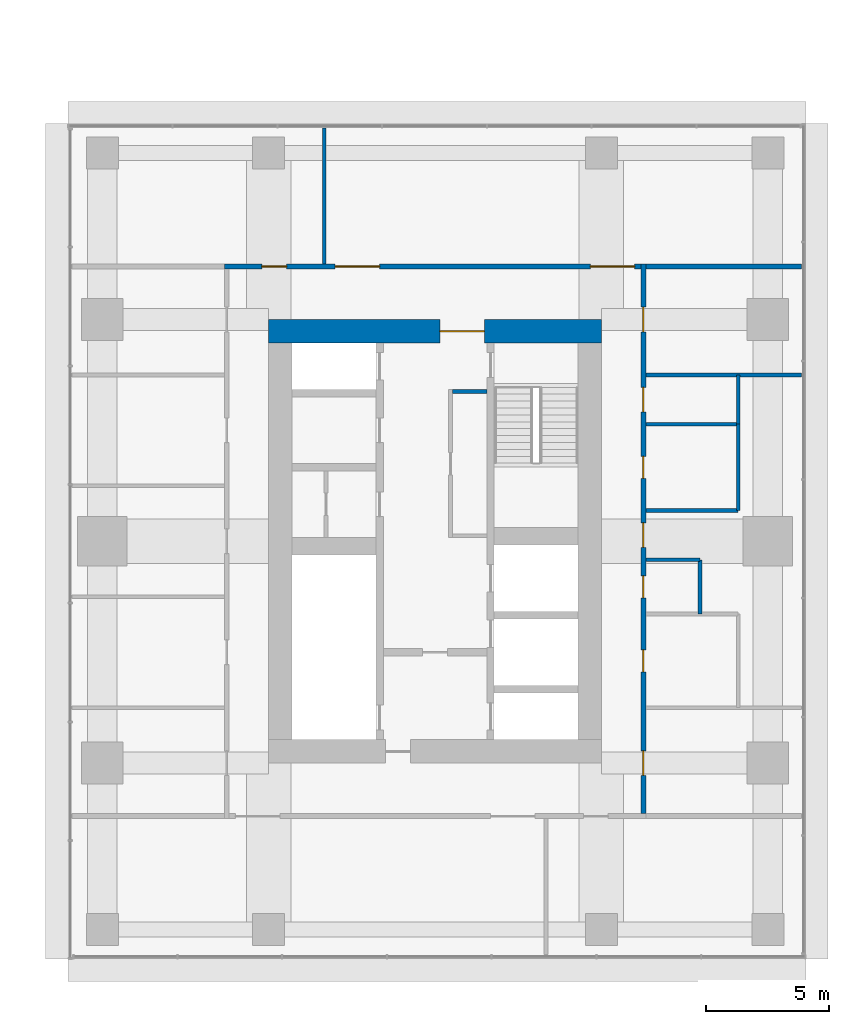
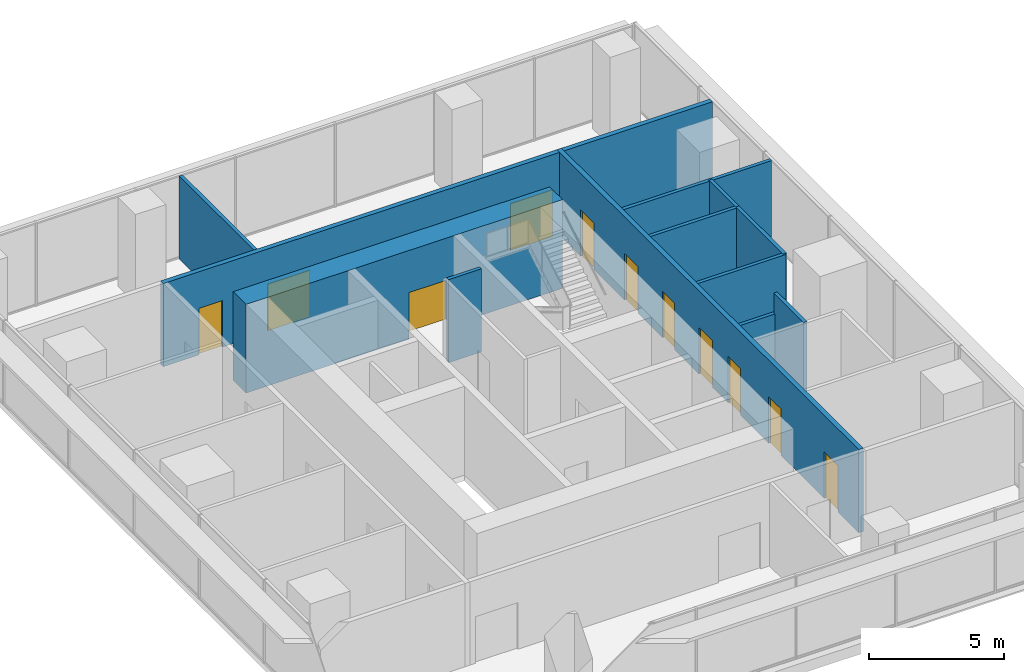
# One storey, part 11 of 14: 13 walls, 11 doors, 11 openings.
"""IFC4 building model written with IfcOpenShell, lengths in metres."""

from ifc_helpers import new_model, si_unit, direction, frame, frame_2d, origin, place, context, subcontext, project, spatial, rectangle, extrude, material, layer, layer_set, type_object, element, fill, save


model = new_model("IFC4")

# Units and contexts
model_context = context("Model", 3, precision=1e-05, world=origin(), true_north=direction((0.0, 1.0)))
body_context = subcontext(model_context, "Body", "Model", "MODEL_VIEW")
ifc_project = project(units=[si_unit("LENGTHUNIT", "METRE"), si_unit("AREAUNIT", "SQUARE_METRE"), si_unit("VOLUMEUNIT", "CUBIC_METRE"), si_unit("PLANEANGLEUNIT", "RADIAN"), si_unit("MASSUNIT", "GRAM", prefix="KILO")], contexts=[model_context])

# Site, building, storey
site_placement = place(None, origin())
site = spatial("IfcSite", under=ifc_project, at=site_placement, CompositionType="ELEMENT")
building_placement = place(site_placement, origin())
building = spatial("IfcBuilding", under=site, at=building_placement, Name="Namib Vertical Campus", CompositionType="ELEMENT")
storey_placement = place(building_placement, frame((0.0, 0.0, 233.0)))
storey = spatial("IfcBuildingStorey", under=building, at=storey_placement, Name="L55", CompositionType="ELEMENT", Elevation=233.0)

# Wall, opening, door
ifc_material_1 = material(Name="Concrete C60/75", Category="concrete")
ifc_layer_1 = layer(ifc_material_1, 0.949951171875)
ifc_layer_set_1 = layer_set([ifc_layer_1], Name="Concrete C60/75")
wall_type_1 = type_object("IfcWallType", Name="Core wall 950", PredefinedType="SHEAR", material=ifc_layer_set_1)
wall_1_placement = place(storey_placement, frame((87.75, 28.77490234375, 0.0), z_axis=(0.0, 0.0, 1.0), x_axis=(-1.0, 0.0, 0.0)))
wall_1 = element("IfcWall", 1, at=wall_1_placement, inside=storey, type_object=wall_type_1, Name="Core wall B L55 3", PredefinedType="SHEAR", context=body_context, shape_type="SweptSolid", body=[
    extrude(rectangle(XDim=13.5, YDim=0.949951171875, at=frame_2d((6.75, 0.0))), origin(), (0.0, 0.0, 1.0), 4.0),
])
opening_1_placement = place(wall_1_placement, frame((4.75, 0.0, 0.0)))
opening_1 = element("IfcOpeningElement", 2, at=opening_1_placement, cuts=wall_1, Name="Opening FD2", PredefinedType="OPENING", context=body_context, shape_type="SweptSolid", body=[
    extrude(rectangle(XDim=1.800048828125, YDim=2.10009765625, at=frame_2d((0.89990234375, 1.050048828125))), frame((0.0, 0.48486328125, 0.0), z_axis=(0.0, -1.0, 0.0), x_axis=(1.0, 0.0, 0.0)), (0.0, 0.0, 1.0), 0.969970703125),
])
ifc_material_2 = material(Name="Steel fire door", Category="steel")
door_type_1 = type_object("IfcDoorType", Name="Fire door double 1800x2100", OperationType="DOUBLE_DOOR_SINGLE_SWING", PredefinedType="DOOR", material=ifc_material_2)
door_1_placement = place(opening_1_placement, origin())
door_1 = element("IfcDoor", 3, at=door_1_placement, inside=storey, type_object=door_type_1, Name="Lift lobby door FD2 B L55", OperationType="DOUBLE_DOOR_SINGLE_SWING", OverallHeight=2.10009765625, OverallWidth=1.800048828125, PredefinedType="DOOR", context=body_context, shape_type="SweptSolid", body=[
    extrude(rectangle(XDim=1.800048828125, YDim=2.10009765625, at=frame_2d((0.89990234375, 1.050048828125))), frame((0.0, 0.02490234375, 0.0), z_axis=(0.0, -1.0, 0.0), x_axis=(1.0, 0.0, 0.0)), (0.0, 0.0, 1.0), 0.050048828125),
])
fill(opening_1, door_1)

# Wall, openings, doors
ifc_material_3 = material(Name="Concrete masonry", Category="masonry")
ifc_layer_2 = layer(ifc_material_3, 0.199951171875)
ifc_layer_set_2 = layer_set([ifc_layer_2], Name="Corridor wall 200")
wall_type_2 = type_object("IfcWallType", Name="Corridor wall 200", PredefinedType="SOLIDWALL", material=ifc_layer_set_2)
wall_2_placement = place(storey_placement, frame((89.449951171875, 9.199951171875, 0.0), z_axis=(0.0, 0.0, 1.0), x_axis=(0.0, 1.0, 0.0)))
wall_2 = element("IfcWall", 4, at=wall_2_placement, inside=storey, type_object=wall_type_2, Name="Corridor wall B L55 CE", PredefinedType="SOLIDWALL", context=body_context, shape_type="SweptSolid", body=[
    extrude(rectangle(XDim=22.300048828125, YDim=0.199951171875, at=frame_2d((11.14990234375, 0.0))), origin(), (0.0, 0.0, 1.0), 3.75),
])
opening_2_placement = place(wall_2_placement, frame((1.550048828125, 0.0, 0.0)))
opening_2 = element("IfcOpeningElement", 5, at=opening_2_placement, cuts=wall_2, Name="Opening CD1", PredefinedType="OPENING", context=body_context, shape_type="SweptSolid", body=[
    extrude(rectangle(XDim=1.0, YDim=2.10009765625, at=frame_2d((0.5, 1.050048828125))), frame((0.0, 0.10986328125, 0.0), z_axis=(0.0, -1.0, 0.0), x_axis=(1.0, 0.0, 0.0)), (0.0, 0.0, 1.0), 0.219970703125),
])
opening_3_placement = place(wall_2_placement, frame((5.75, 0.0, 0.0)))
opening_3 = element("IfcOpeningElement", 6, at=opening_3_placement, cuts=wall_2, Name="Opening CD3", PredefinedType="OPENING", context=body_context, shape_type="SweptSolid", body=[
    extrude(rectangle(XDim=0.89990234375, YDim=2.10009765625, at=frame_2d((0.449951171875, 1.050048828125))), frame((0.0, 0.10986328125, 0.0), z_axis=(0.0, -1.0, 0.0), x_axis=(1.0, 0.0, 0.0)), (0.0, 0.0, 1.0), 0.219970703125),
])
opening_4_placement = place(wall_2_placement, frame((8.75, 0.0, 0.0)))
opening_4 = element("IfcOpeningElement", 7, at=opening_4_placement, cuts=wall_2, Name="Opening CD3", PredefinedType="OPENING", context=body_context, shape_type="SweptSolid", body=[
    extrude(rectangle(XDim=0.89990234375, YDim=2.10009765625, at=frame_2d((0.449951171875, 1.050048828125))), frame((0.0, 0.10986328125, 0.0), z_axis=(0.0, -1.0, 0.0), x_axis=(1.0, 0.0, 0.0)), (0.0, 0.0, 1.0), 0.219970703125),
])
opening_5_placement = place(wall_2_placement, frame((13.60009765625, 0.0, 0.0)))
opening_5 = element("IfcOpeningElement", 8, at=opening_5_placement, cuts=wall_2, Name="Opening CD3", PredefinedType="OPENING", context=body_context, shape_type="SweptSolid", body=[
    extrude(rectangle(XDim=0.89990234375, YDim=2.10009765625, at=frame_2d((0.449951171875, 1.050048828125))), frame((0.0, 0.10986328125, 0.0), z_axis=(0.0, -1.0, 0.0), x_axis=(1.0, 0.0, 0.0)), (0.0, 0.0, 1.0), 0.219970703125),
])
opening_6_placement = place(wall_2_placement, frame((16.300048828125, 0.0, 0.0)))
opening_6 = element("IfcOpeningElement", 9, at=opening_6_placement, cuts=wall_2, Name="Opening CD1", PredefinedType="OPENING", context=body_context, shape_type="SweptSolid", body=[
    extrude(rectangle(XDim=1.0, YDim=2.10009765625, at=frame_2d((0.5, 1.050048828125))), frame((0.0, 0.10986328125, 0.0), z_axis=(0.0, -1.0, 0.0), x_axis=(1.0, 0.0, 0.0)), (0.0, 0.0, 1.0), 0.219970703125),
])
opening_7_placement = place(wall_2_placement, frame((10.800048828125, 0.0, 0.0)))
opening_7 = element("IfcOpeningElement", 10, at=opening_7_placement, cuts=wall_2, Name="Opening CD1", PredefinedType="OPENING", context=body_context, shape_type="SweptSolid", body=[
    extrude(rectangle(XDim=1.0, YDim=2.10009765625, at=frame_2d((0.5, 1.050048828125))), frame((0.0, 0.10986328125, 0.0), z_axis=(0.0, -1.0, 0.0), x_axis=(1.0, 0.0, 0.0)), (0.0, 0.0, 1.0), 0.219970703125),
])
opening_8_placement = place(wall_2_placement, frame((19.550048828125, 0.0, 0.0)))
opening_8 = element("IfcOpeningElement", 11, at=opening_8_placement, cuts=wall_2, Name="Opening CD1", PredefinedType="OPENING", context=body_context, shape_type="SweptSolid", body=[
    extrude(rectangle(XDim=1.0, YDim=2.10009765625, at=frame_2d((0.5, 1.050048828125))), frame((0.0, 0.10986328125, 0.0), z_axis=(0.0, -1.0, 0.0), x_axis=(1.0, 0.0, 0.0)), (0.0, 0.0, 1.0), 0.219970703125),
])
ifc_material_4 = material(Name="Timber fire door leaf", Category="wood")
door_type_2 = type_object("IfcDoorType", Name="Corridor door 1000x2100 20 min", OperationType="SINGLE_SWING_LEFT", PredefinedType="DOOR", material=ifc_material_4)
door_2_placement = place(opening_2_placement, frame((1.0, 0.0, 0.0), z_axis=(0.0, 0.0, 1.0), x_axis=(-1.0, 0.0, 0.0)))
door_2 = element("IfcDoor", 12, at=door_2_placement, inside=storey, type_object=door_type_2, Name="Door CD1 B55-03", OperationType="SINGLE_SWING_RIGHT", OverallHeight=2.10009765625, OverallWidth=1.0, PredefinedType="DOOR", context=body_context, shape_type="SweptSolid", body=[
    extrude(rectangle(XDim=1.0, YDim=2.10009765625, at=frame_2d((0.5, 1.050048828125))), frame((0.0, 0.02490234375, 0.0), z_axis=(0.0, -1.0, 0.0), x_axis=(1.0, 0.0, 0.0)), (0.0, 0.0, 1.0), 0.050048828125),
])
fill(opening_2, door_2)
door_3_placement = place(opening_6_placement, frame((1.0, 0.0, 0.0), z_axis=(0.0, 0.0, 1.0), x_axis=(-1.0, 0.0, 0.0)))
door_3 = element("IfcDoor", 13, at=door_3_placement, inside=storey, type_object=door_type_2, Name="Door CD1 B55-07", OperationType="SINGLE_SWING_RIGHT", OverallHeight=2.10009765625, OverallWidth=1.0, PredefinedType="DOOR", context=body_context, shape_type="SweptSolid", body=[
    extrude(rectangle(XDim=1.0, YDim=2.10009765625, at=frame_2d((0.5, 1.050048828125))), frame((0.0, 0.02490234375, 0.0), z_axis=(0.0, -1.0, 0.0), x_axis=(1.0, 0.0, 0.0)), (0.0, 0.0, 1.0), 0.050048828125),
])
fill(opening_6, door_3)
door_4_placement = place(opening_7_placement, frame((1.0, 0.0, 0.0), z_axis=(0.0, 0.0, 1.0), x_axis=(-1.0, 0.0, 0.0)))
door_4 = element("IfcDoor", 14, at=door_4_placement, inside=storey, type_object=door_type_2, Name="Door CD1 B55-08", OperationType="SINGLE_SWING_RIGHT", OverallHeight=2.10009765625, OverallWidth=1.0, PredefinedType="DOOR", context=body_context, shape_type="SweptSolid", body=[
    extrude(rectangle(XDim=1.0, YDim=2.10009765625, at=frame_2d((0.5, 1.050048828125))), frame((0.0, 0.02490234375, 0.0), z_axis=(0.0, -1.0, 0.0), x_axis=(1.0, 0.0, 0.0)), (0.0, 0.0, 1.0), 0.050048828125),
])
fill(opening_7, door_4)
door_5_placement = place(opening_8_placement, frame((1.0, 0.0, 0.0), z_axis=(0.0, 0.0, 1.0), x_axis=(-1.0, 0.0, 0.0)))
door_5 = element("IfcDoor", 15, at=door_5_placement, inside=storey, type_object=door_type_2, Name="Door CD1 B55-09", OperationType="SINGLE_SWING_RIGHT", OverallHeight=2.10009765625, OverallWidth=1.0, PredefinedType="DOOR", context=body_context, shape_type="SweptSolid", body=[
    extrude(rectangle(XDim=1.0, YDim=2.10009765625, at=frame_2d((0.5, 1.050048828125))), frame((0.0, 0.02490234375, 0.0), z_axis=(0.0, -1.0, 0.0), x_axis=(1.0, 0.0, 0.0)), (0.0, 0.0, 1.0), 0.050048828125),
])
fill(opening_8, door_5)
ifc_material_5 = material(Name="Timber fire door leaf", Category="wood")
door_type_3 = type_object("IfcDoorType", Name="Corridor toilet door 900x2100 20 min", OperationType="SINGLE_SWING_LEFT", PredefinedType="DOOR", material=ifc_material_5)
door_6_placement = place(opening_3_placement, frame((0.89990234375, 0.0, 0.0), z_axis=(0.0, 0.0, 1.0), x_axis=(-1.0, 0.0, 0.0)))
door_6 = element("IfcDoor", 16, at=door_6_placement, inside=storey, type_object=door_type_3, Name="Door CD3 B55-04", OperationType="SINGLE_SWING_RIGHT", OverallHeight=2.10009765625, OverallWidth=0.89990234375, PredefinedType="DOOR", context=body_context, shape_type="SweptSolid", body=[
    extrude(rectangle(XDim=0.89990234375, YDim=2.10009765625, at=frame_2d((0.449951171875, 1.050048828125))), frame((0.0, 0.02490234375, 0.0), z_axis=(0.0, -1.0, 0.0), x_axis=(1.0, 0.0, 0.0)), (0.0, 0.0, 1.0), 0.050048828125),
])
fill(opening_3, door_6)
door_7_placement = place(opening_4_placement, frame((0.89990234375, 0.0, 0.0), z_axis=(0.0, 0.0, 1.0), x_axis=(-1.0, 0.0, 0.0)))
door_7 = element("IfcDoor", 17, at=door_7_placement, inside=storey, type_object=door_type_3, Name="Door CD3 B55-05", OperationType="SINGLE_SWING_RIGHT", OverallHeight=2.10009765625, OverallWidth=0.89990234375, PredefinedType="DOOR", context=body_context, shape_type="SweptSolid", body=[
    extrude(rectangle(XDim=0.89990234375, YDim=2.10009765625, at=frame_2d((0.449951171875, 1.050048828125))), frame((0.0, 0.02490234375, 0.0), z_axis=(0.0, -1.0, 0.0), x_axis=(1.0, 0.0, 0.0)), (0.0, 0.0, 1.0), 0.050048828125),
])
fill(opening_4, door_7)
door_8_placement = place(opening_5_placement, frame((0.89990234375, 0.0, 0.0), z_axis=(0.0, 0.0, 1.0), x_axis=(-1.0, 0.0, 0.0)))
door_8 = element("IfcDoor", 18, at=door_8_placement, inside=storey, type_object=door_type_3, Name="Door CD3 B55-06", OperationType="SINGLE_SWING_RIGHT", OverallHeight=2.10009765625, OverallWidth=0.89990234375, PredefinedType="DOOR", context=body_context, shape_type="SweptSolid", body=[
    extrude(rectangle(XDim=0.89990234375, YDim=2.10009765625, at=frame_2d((0.449951171875, 1.050048828125))), frame((0.0, 0.02490234375, 0.0), z_axis=(0.0, -1.0, 0.0), x_axis=(1.0, 0.0, 0.0)), (0.0, 0.0, 1.0), 0.050048828125),
])
fill(opening_5, door_8)

wall_3_placement = place(storey_placement, frame((89.35009765625, 31.39990234375, 0.0), z_axis=(0.0, 0.0, 1.0), x_axis=(-1.0, 0.0, 0.0)))
wall_3 = element("IfcWall", 19, at=wall_3_placement, inside=storey, type_object=wall_type_2, Name="Corridor wall B L55 CN", PredefinedType="SOLIDWALL", context=body_context, shape_type="SweptSolid", body=[
    extrude(rectangle(XDim=16.900146484375, YDim=0.199951171875, at=frame_2d((8.4501953125, 0.0))), origin(), (0.0, 0.0, 1.0), 3.75),
])
opening_9_placement = place(wall_3_placement, frame((14.375, 0.0, 0.0)))
opening_9 = element("IfcOpeningElement", 20, at=opening_9_placement, cuts=wall_3, Name="Opening CD1", PredefinedType="OPENING", context=body_context, shape_type="SweptSolid", body=[
    extrude(rectangle(XDim=1.0, YDim=2.10009765625, at=frame_2d((0.5, 1.050048828125))), frame((0.0, 0.10986328125, 0.0), z_axis=(0.0, -1.0, 0.0), x_axis=(1.0, 0.0, 0.0)), (0.0, 0.0, 1.0), 0.219970703125),
])
opening_10_placement = place(wall_3_placement, frame((10.60009765625, 0.0, 0.0)))
opening_10 = element("IfcOpeningElement", 21, at=opening_10_placement, cuts=wall_3, Name="Opening CD2", PredefinedType="OPENING", context=body_context, shape_type="SweptSolid", body=[
    extrude(rectangle(XDim=1.800048828125, YDim=2.10009765625, at=frame_2d((0.89990234375, 1.050048828125))), frame((0.0, 0.10986328125, 0.0), z_axis=(0.0, -1.0, 0.0), x_axis=(1.0, 0.0, 0.0)), (0.0, 0.0, 1.0), 0.219970703125),
])
opening_11_placement = place(wall_3_placement, frame((0.25, 0.0, 0.0)))
opening_11 = element("IfcOpeningElement", 22, at=opening_11_placement, cuts=wall_3, Name="Opening CD2", PredefinedType="OPENING", context=body_context, shape_type="SweptSolid", body=[
    extrude(rectangle(XDim=1.800048828125, YDim=2.10009765625, at=frame_2d((0.89990234375, 1.050048828125))), frame((0.0, 0.10986328125, 0.0), z_axis=(0.0, -1.0, 0.0), x_axis=(1.0, 0.0, 0.0)), (0.0, 0.0, 1.0), 0.219970703125),
])
door_9_placement = place(opening_9_placement, frame((1.0, 0.0, 0.0), z_axis=(0.0, 0.0, 1.0), x_axis=(-1.0, 0.0, 0.0)))
door_9 = element("IfcDoor", 23, at=door_9_placement, inside=storey, type_object=door_type_2, Name="Door CD1 B55-10", OperationType="SINGLE_SWING_RIGHT", OverallHeight=2.10009765625, OverallWidth=1.0, PredefinedType="DOOR", context=body_context, shape_type="SweptSolid", body=[
    extrude(rectangle(XDim=1.0, YDim=2.10009765625, at=frame_2d((0.5, 1.050048828125))), frame((0.0, 0.02490234375, 0.0), z_axis=(0.0, -1.0, 0.0), x_axis=(1.0, 0.0, 0.0)), (0.0, 0.0, 1.0), 0.050048828125),
])
fill(opening_9, door_9)
ifc_material_6 = material(Name="Timber fire door leaf", Category="wood")
door_type_4 = type_object("IfcDoorType", Name="Corridor door double 1800x2100 20 min", OperationType="DOUBLE_DOOR_SINGLE_SWING", PredefinedType="DOOR", material=ifc_material_6)
door_10_placement = place(opening_10_placement, frame((1.800048828125, 0.0, 0.0), z_axis=(0.0, 0.0, 1.0), x_axis=(-1.0, 0.0, 0.0)))
door_10 = element("IfcDoor", 24, at=door_10_placement, inside=storey, type_object=door_type_4, Name="Door CD2 B55-11", OperationType="DOUBLE_DOOR_SINGLE_SWING", OverallHeight=2.10009765625, OverallWidth=1.800048828125, PredefinedType="DOOR", context=body_context, shape_type="SweptSolid", body=[
    extrude(rectangle(XDim=1.800048828125, YDim=2.10009765625, at=frame_2d((0.89990234375, 1.050048828125))), frame((0.0, 0.02490234375, 0.0), z_axis=(0.0, -1.0, 0.0), x_axis=(1.0, 0.0, 0.0)), (0.0, 0.0, 1.0), 0.050048828125),
])
fill(opening_10, door_10)
door_11_placement = place(opening_11_placement, frame((1.800048828125, 0.0, 0.0), z_axis=(0.0, 0.0, 1.0), x_axis=(-1.0, 0.0, 0.0)))
door_11 = element("IfcDoor", 25, at=door_11_placement, inside=storey, type_object=door_type_4, Name="Door CD2 B55-11 2", OperationType="DOUBLE_DOOR_SINGLE_SWING", OverallHeight=2.10009765625, OverallWidth=1.800048828125, PredefinedType="DOOR", context=body_context, shape_type="SweptSolid", body=[
    extrude(rectangle(XDim=1.800048828125, YDim=2.10009765625, at=frame_2d((0.89990234375, 1.050048828125))), frame((0.0, 0.02490234375, 0.0), z_axis=(0.0, -1.0, 0.0), x_axis=(1.0, 0.0, 0.0)), (0.0, 0.0, 1.0), 0.050048828125),
])
fill(opening_11, door_11)

# Walls
wall_4_placement = place(storey_placement, frame((89.550048828125, 31.39990234375, 0.0), z_axis=(0.0, 0.0, 1.0), x_axis=(1.0, 0.0, 0.0)))
element("IfcWall", 26, at=wall_4_placement, inside=storey, type_object=wall_type_2, Name="Partition B L55 BNE", PredefinedType="SOLIDWALL", context=body_context, shape_type="SweptSolid", body=[
    extrude(rectangle(XDim=6.320068359375, YDim=0.199951171875, at=frame_2d((3.16015625, 0.0))), origin(), (0.0, 0.0, 1.0), 3.75),
])
ifc_material_7 = material(Name="Gypsum board on steel studs", Category="steel")
ifc_layer_3 = layer(ifc_material_7, 0.14990234375)
ifc_layer_set_3 = layer_set([ifc_layer_3], Name="Gypsum board on steel studs")
wall_type_3 = type_object("IfcWallType", Name="Partition 150", PredefinedType="PARTITIONING", material=ifc_layer_set_3)
wall_5_placement = place(storey_placement, frame((81.699951171875, 26.324951171875, 0.0), z_axis=(0.0, 0.0, 1.0), x_axis=(1.0, 0.0, 0.0)))
element("IfcWall", 27, at=wall_5_placement, inside=storey, type_object=wall_type_3, Name="Partition B L55 Store end 2", PredefinedType="PARTITIONING", context=body_context, shape_type="SweptSolid", body=[
    extrude(rectangle(XDim=1.400146484375, YDim=0.14990234375, at=frame_2d((0.7001953125, 0.0))), origin(), (0.0, 0.0, 1.0), 3.75),
])
wall_6_placement = place(storey_placement, frame((76.5, 31.5, 0.0), z_axis=(0.0, 0.0, 1.0), x_axis=(0.0, 1.0, 0.0)))
element("IfcWall", 28, at=wall_6_placement, inside=storey, type_object=wall_type_3, Name="Partition B L55 PN1", PredefinedType="PARTITIONING", context=body_context, shape_type="SweptSolid", body=[
    extrude(rectangle(XDim=5.52001953125, YDim=0.14990234375, at=frame_2d((2.760009765625, 0.0))), origin(), (0.0, 0.0, 1.0), 3.75),
])
wall_7_placement = place(storey_placement, frame((89.550048828125, 27.0, 0.0), z_axis=(0.0, 0.0, 1.0), x_axis=(1.0, 0.0, 0.0)))
element("IfcWall", 29, at=wall_7_placement, inside=storey, type_object=wall_type_3, Name="Partition B L55 PE2", PredefinedType="PARTITIONING", context=body_context, shape_type="SweptSolid", body=[
    extrude(rectangle(XDim=6.320068359375, YDim=0.14990234375, at=frame_2d((3.16015625, 0.0))), origin(), (0.0, 0.0, 1.0), 3.75),
])
wall_8_placement = place(storey_placement, frame((89.550048828125, 19.5, 0.0), z_axis=(0.0, 0.0, 1.0), x_axis=(1.0, 0.0, 0.0)))
element("IfcWall", 30, at=wall_8_placement, inside=storey, type_object=wall_type_3, Name="Partition B L55 WR2", PredefinedType="PARTITIONING", context=body_context, shape_type="SweptSolid", body=[
    extrude(rectangle(XDim=2.199951171875, YDim=0.14990234375, at=frame_2d((1.10009765625, 0.0))), origin(), (0.0, 0.0, 1.0), 2.85009765625),
])
for number, where, z_axis, x_axis, name in (
    (31, (89.550048828125, 21.5, 0.0), (0.0, 0.0, 1.0), (1.0, 0.0, 0.0), "Partition B L55 WR3"),
    (32, (89.550048828125, 25.0, 0.0), (0.0, 0.0, 1.0), (1.0, 0.0, 0.0), "Partition B L55 WR4"),
):
    element("IfcWall", number, at=place(storey_placement, frame(where, z_axis=z_axis, x_axis=x_axis)), inside=storey, type_object=wall_type_3, Name=name, PredefinedType="PARTITIONING", context=body_context, shape_type="SweptSolid", body=[
        extrude(rectangle(XDim=3.75, YDim=0.14990234375, at=frame_2d((1.875, 0.0))), origin(), (0.0, 0.0, 1.0), 3.75),
    ])
wall_9_placement = place(storey_placement, frame((91.75, 17.300048828125, 0.0), z_axis=(0.0, 0.0, 1.0), x_axis=(0.0, 1.0, 0.0)))
element("IfcWall", 33, at=wall_9_placement, inside=storey, type_object=wall_type_3, Name="Partition B L55 WB2", PredefinedType="PARTITIONING", context=body_context, shape_type="SweptSolid", body=[
    extrude(rectangle(XDim=2.199951171875, YDim=0.14990234375, at=frame_2d((1.10009765625, 0.0))), origin(), (0.0, 0.0, 1.0), 3.75),
])
wall_10_placement = place(storey_placement, frame((93.300048828125, 21.5, 0.0), z_axis=(0.0, 0.0, 1.0), x_axis=(0.0, 1.0, 0.0)))
element("IfcWall", 34, at=wall_10_placement, inside=storey, type_object=wall_type_3, Name="Partition B L55 WB3", PredefinedType="PARTITIONING", context=body_context, shape_type="SweptSolid", body=[
    extrude(rectangle(XDim=3.5, YDim=0.14990234375, at=frame_2d((1.75, 0.0))), origin(), (0.0, 0.0, 1.0), 3.75),
])
wall_11_placement = place(storey_placement, frame((93.300048828125, 25.0, 0.0), z_axis=(0.0, 0.0, 1.0), x_axis=(0.0, 1.0, 0.0)))
element("IfcWall", 35, at=wall_11_placement, inside=storey, type_object=wall_type_3, Name="Partition B L55 WB4", PredefinedType="PARTITIONING", context=body_context, shape_type="SweptSolid", body=[
    extrude(rectangle(XDim=2.0, YDim=0.14990234375, at=frame_2d((1.0, 0.0))), origin(), (0.0, 0.0, 1.0), 3.75),
])

save(model, "model.ifc")
